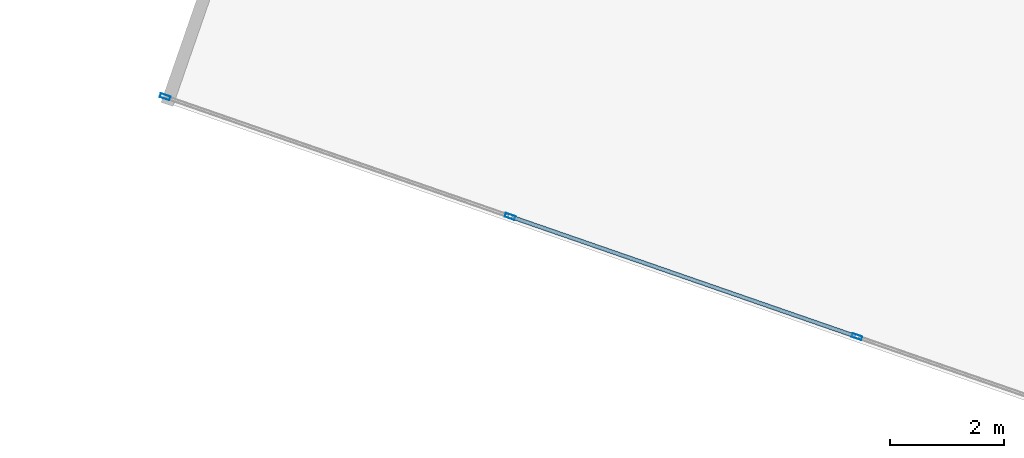
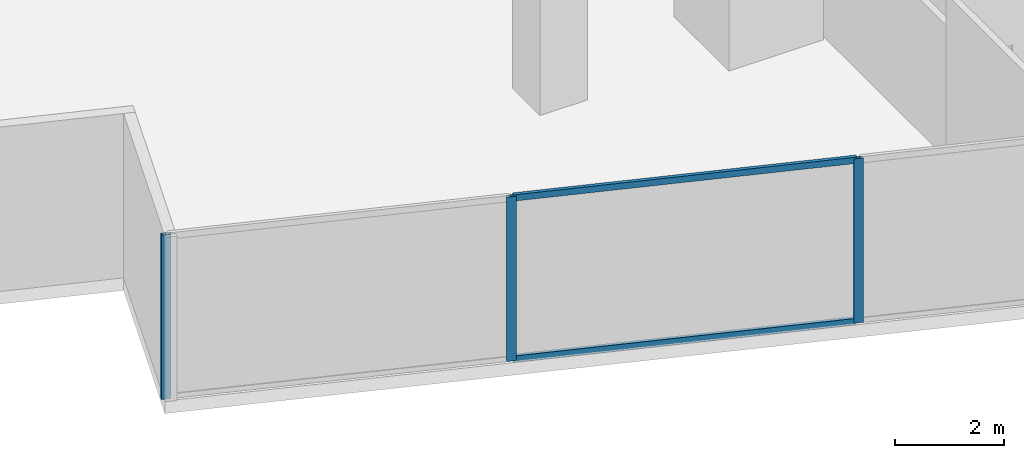
# One storey, part 2 of 27: 5 members, 1 element without a shape of its own.
"""IFC4 building model written with IfcOpenShell, lengths in metres."""

from ifc_helpers import new_model, si_unit, direction, frame, origin, origin_2d, place, context, subcontext, project, spatial, hollow_rectangle, extrude, source, transform, mapped, material, material_profile, profile_set, type_object, type_shapes, element, aggregate, save


model = new_model("IFC4")

# Units and contexts
model_context = context("Model", 3, precision=1e-05, world=origin(), true_north=direction((0.0, 1.0)))
body_context = subcontext(model_context, "Body", "Model", "MODEL_VIEW")
ifc_project = project(units=[si_unit("LENGTHUNIT", "METRE"), si_unit("AREAUNIT", "SQUARE_METRE"), si_unit("VOLUMEUNIT", "CUBIC_METRE"), si_unit("PLANEANGLEUNIT", "RADIAN"), si_unit("MASSUNIT", "GRAM", prefix="KILO")], contexts=[model_context])

# Site, building, storey
site_placement = place(None, origin())
site = spatial("IfcSite", under=ifc_project, at=site_placement, CompositionType="ELEMENT")
building_placement = place(site_placement, origin())
building = spatial("IfcBuilding", under=site, at=building_placement, Name="Krantzveldt Concourse Tower", CompositionType="ELEMENT")
storey_placement = place(building_placement, frame((0.0, 0.0, 125.60009765625)))
storey = spatial("IfcBuildingStorey", under=building, at=storey_placement, Name="L30", CompositionType="ELEMENT", Elevation=125.60009765625)

# Curtain wall, members
ifc_material = material(Name="Anodised aluminium 6063-T6", Category="aluminium")
curtain_wall_type = type_object("IfcCurtainWallType", Name="CW2", PredefinedType="USERDEFINED", material=ifc_material)
curtain_wall_placement = place(storey_placement, origin())
curtain_wall = element("IfcCurtainWall", 1, at=curtain_wall_placement, inside=storey, type_object=curtain_wall_type, Name="CW-L30-F04", ObjectType="UNITISED CURTAIN WALL", PredefinedType="USERDEFINED")
ifc_material_profile_1 = material_profile(ifc_material, hollow_rectangle(XDim=0.070068359375, YDim=0.179931640625, WallThickness=0.0048828125, at=origin_2d()), Name="Anodised aluminium 6063-T6", Category="aluminium")
ifc_profile_set_1 = profile_set([ifc_material_profile_1], Name="Anodised aluminium 6063-T6 - ALU-MULL 180x70x5")
member_type_1 = type_object("IfcMemberType", Name="CW-MUL-180", PredefinedType="MULLION", material=ifc_profile_set_1)
shared_shape_1 = source(origin(), body_context, "Body", "SweptSolid", [
    extrude(hollow_rectangle(XDim=0.070068359375, YDim=0.179931640625, WallThickness=0.0048828125, at=origin_2d()), origin(), (0.0, 0.0, 1.0), 3.669921875),
])
type_shapes(member_type_1, [shared_shape_1])
member_1_placement = place(storey_placement, frame((10.06689453125, 11.021240234375, 0.0), z_axis=(0.0, 0.0, 1.0), x_axis=(0.32763019404, 0.944806041446, 0.0)))
member_1 = element("IfcMember", 2, at=member_1_placement, type_object=member_type_1, Name="CW-Z12 mullion 1", PredefinedType="MULLION", context=body_context, shape_type="MappedRepresentation", body=[
    mapped(shared_shape_1, transform((0.0, 0.0, 0.0), x_axis=(1.0, 0.0, 0.0), y_axis=(0.0, 1.0, 0.0), z_axis=(0.0, 0.0, 1.0), scale=1.0)),
])
member_2_placement = place(storey_placement, frame((16.1435546875, 8.913818359375, 0.0), z_axis=(0.0, 0.0, 1.0), x_axis=(0.32763019404, 0.944806041446, 0.0)))
member_2 = element("IfcMember", 3, at=member_2_placement, type_object=member_type_1, Name="CW-Z12 mullion 2", PredefinedType="MULLION", context=body_context, shape_type="MappedRepresentation", body=[
    mapped(shared_shape_1, transform((0.0, 0.0, 0.0), x_axis=(1.0, 0.0, 0.0), y_axis=(0.0, 1.0, 0.0), z_axis=(0.0, 0.0, 1.0), scale=1.0)),
])
member_3_placement = place(storey_placement, frame((22.253173828125, 6.795166015625, 0.0), z_axis=(0.0, 0.0, 1.0), x_axis=(0.32763019404, 0.944806041446, 0.0)))
member_3 = element("IfcMember", 4, at=member_3_placement, type_object=member_type_1, Name="CW-Z12 mullion 3", PredefinedType="MULLION", context=body_context, shape_type="MappedRepresentation", body=[
    mapped(shared_shape_1, transform((0.0, 0.0, 0.0), x_axis=(1.0, 0.0, 0.0), y_axis=(0.0, 1.0, 0.0), z_axis=(0.0, 0.0, 1.0), scale=1.0)),
])
ifc_material_profile_2 = material_profile(ifc_material, hollow_rectangle(XDim=0.070068359375, YDim=0.139892578125, WallThickness=0.0048828125, at=origin_2d()), Name="Anodised aluminium 6063-T6", Category="aluminium")
ifc_profile_set_2 = profile_set([ifc_material_profile_2], Name="Anodised aluminium 6063-T6 - ALU-TRAN 140x70x5")
member_type_2 = type_object("IfcMemberType", Name="CW-TRN-150", PredefinedType="USERDEFINED", material=ifc_profile_set_2)
shared_shape_2 = source(origin(), body_context, "Body", "SweptSolid", [
    extrude(hollow_rectangle(XDim=0.070068359375, YDim=0.139892578125, WallThickness=0.0048828125, at=origin_2d()), origin(), (0.0, 0.0, 1.0), 6.396728515625),
])
type_shapes(member_type_2, [shared_shape_2])
member_4_placement = place(storey_placement, frame((16.176513671875, 8.90234375, 0.034912109375), z_axis=(0.944809422525, -0.327620443666, 0.0), x_axis=(0.327620443666, 0.944809422525, 0.0)))
member_4 = element("IfcMember", 5, at=member_4_placement, type_object=member_type_2, Name="CW-Z12 transom 2.1", ObjectType="TRANSOM", PredefinedType="USERDEFINED", context=body_context, shape_type="MappedRepresentation", body=[
    mapped(shared_shape_2, transform((0.0, 0.0, 0.0), x_axis=(1.0, 0.0, 0.0), y_axis=(0.0, 1.0, 0.0), z_axis=(0.0, 0.0, 1.0), scale=1.0)),
])
member_5_placement = place(storey_placement, frame((16.176513671875, 8.90234375, 3.635009765625), z_axis=(0.944809422525, -0.327620443666, 0.0), x_axis=(0.327620443666, 0.944809422525, 0.0)))
member_5 = element("IfcMember", 6, at=member_5_placement, type_object=member_type_2, Name="CW-Z12 transom 2.2", ObjectType="TRANSOM", PredefinedType="USERDEFINED", context=body_context, shape_type="MappedRepresentation", body=[
    mapped(shared_shape_2, transform((0.0, 0.0, 0.0), x_axis=(1.0, 0.0, 0.0), y_axis=(0.0, 1.0, 0.0), z_axis=(0.0, 0.0, 1.0), scale=1.0)),
])
aggregate(curtain_wall, [member_1, member_2, member_3, member_4, member_5])

save(model, "model.ifc")
